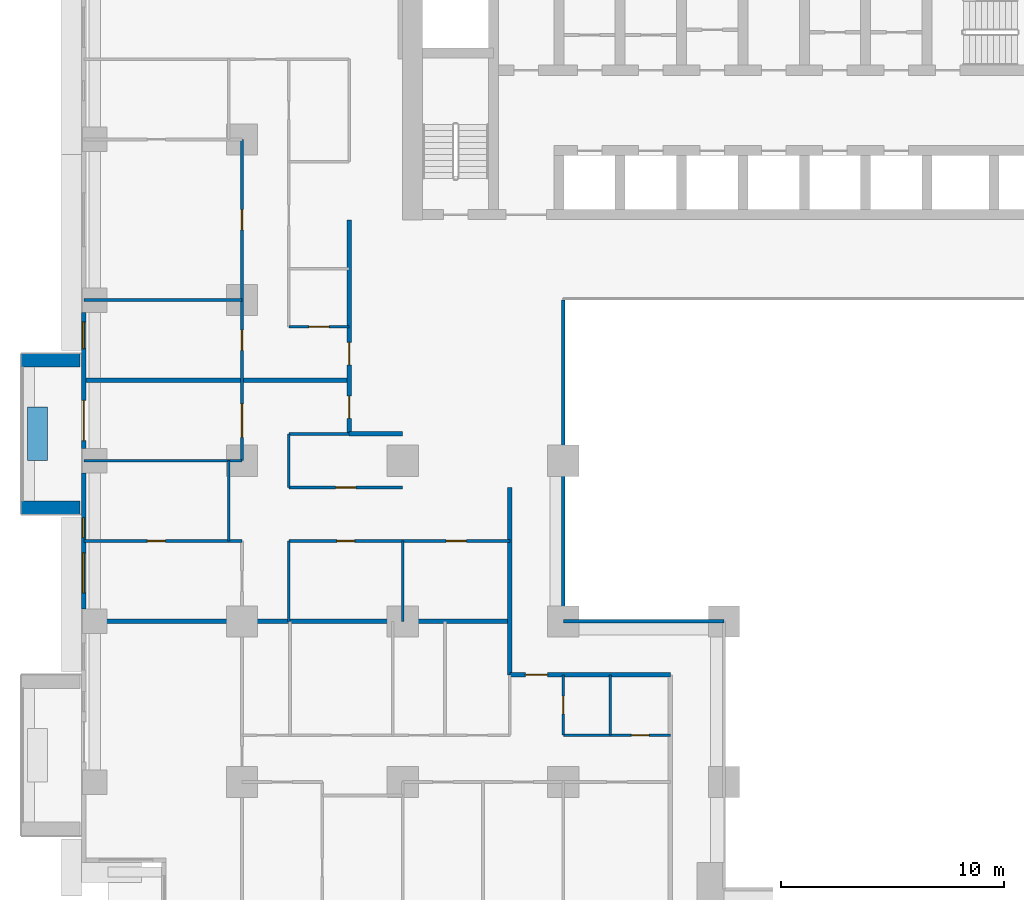
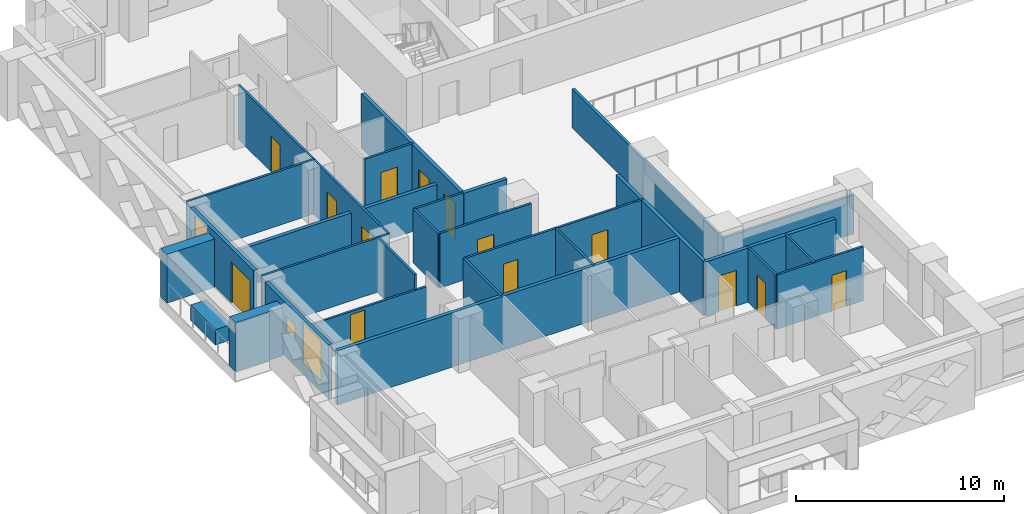
# One storey, part 7 of 17: 28 walls, 14 doors, 3 windows, 17 openings.
"""IFC4 building model written with IfcOpenShell, lengths in metres."""

from ifc_helpers import new_model, si_unit, direction, frame, frame_2d, origin, place, context, subcontext, project, spatial, rectangle, extrude, material, layer, layer_set, type_object, element, fill, save


model = new_model("IFC4")

# Units and contexts
model_context = context("Model", 3, precision=1e-05, world=origin(), true_north=direction((0.0, 1.0)))
body_context = subcontext(model_context, "Body", "Model", "MODEL_VIEW")
ifc_project = project(units=[si_unit("LENGTHUNIT", "METRE"), si_unit("AREAUNIT", "SQUARE_METRE"), si_unit("VOLUMEUNIT", "CUBIC_METRE"), si_unit("PLANEANGLEUNIT", "RADIAN"), si_unit("MASSUNIT", "GRAM", prefix="KILO")], contexts=[model_context])

# Site, building, storey
site_placement = place(None, origin())
site = spatial("IfcSite", under=ifc_project, at=site_placement, CompositionType="ELEMENT")
building_placement = place(site_placement, origin())
building = spatial("IfcBuilding", under=site, at=building_placement, Name="Saffron Iwan Residences", CompositionType="ELEMENT")
storey_placement = place(building_placement, frame((0.0, 0.0, 51.5)))
storey = spatial("IfcBuildingStorey", under=building, at=storey_placement, Name="L12", CompositionType="ELEMENT", Elevation=51.5)

# Walls
ifc_material_1 = material(Name="Fire-rated glazing", Category="glass")
ifc_layer_1 = layer(ifc_material_1, 0.14990234375)
ifc_layer_set_1 = layer_set([ifc_layer_1], Name="Fire-rated glazing")
wall_type_1 = type_object("IfcWallType", Name="Atrium glazed screen 150", PredefinedType="SOLIDWALL", material=ifc_layer_set_1)
wall_1_placement = place(storey_placement, frame((36.0, 48.0, 0.0), z_axis=(0.0, 0.0, 1.0), x_axis=(1.0, 0.0, 0.0)))
element("IfcWall", 1, at=wall_1_placement, inside=storey, type_object=wall_type_1, Name="W-L12-SCREEN-h48-36", PredefinedType="SOLIDWALL", context=body_context, shape_type="SweptSolid", body=[
    extrude(rectangle(XDim=7.199951171875, YDim=0.14990234375, at=frame_2d((3.60009765625, 0.0))), origin(), (0.0, 0.0, 1.0), 2.280029296875),
])
wall_2_placement = place(storey_placement, frame((36.0, 48.0, 0.0), z_axis=(0.0, 0.0, 1.0), x_axis=(0.0, 1.0, 0.0)))
element("IfcWall", 2, at=wall_2_placement, inside=storey, type_object=wall_type_1, Name="W-L12-SCREEN-v36-48", PredefinedType="SOLIDWALL", context=body_context, shape_type="SweptSolid", body=[
    extrude(rectangle(XDim=14.39990234375, YDim=0.14990234375, at=frame_2d((7.199951171875, 0.0))), origin(), (0.0, 0.0, 1.0), 2.280029296875),
])
ifc_material_2 = material(Name="Concrete C50/60 white painted", Category="concrete")
ifc_layer_2 = layer(ifc_material_2, 0.60009765625)
ifc_layer_set_2 = layer_set([ifc_layer_2], Name="Concrete C50/60 white painted")
wall_type_2 = type_object("IfcWallType", Name="BALCONY FIN 600", PredefinedType="SOLIDWALL", material=ifc_layer_set_2)
for number, where, z_axis, x_axis, name in (
    (3, (14.35009765625, 59.699951171875, 0.0), (0.0, 0.0, 1.0), (-1.0, 0.0, 0.0), "Balcony fin L12 F8-1a"),
    (4, (14.35009765625, 53.10009765625, 0.0), (0.0, 0.0, 1.0), (-1.0, 0.0, 0.0), "Balcony fin L12 F8-1b"),
):
    element("IfcWall", number, at=place(storey_placement, frame(where, z_axis=z_axis, x_axis=x_axis)), inside=storey, type_object=wall_type_2, Name=name, PredefinedType="SOLIDWALL", context=body_context, shape_type="SweptSolid", body=[
        extrude(rectangle(XDim=2.650146484375, YDim=0.60009765625, at=frame_2d((1.3251953125, 0.0))), origin(), (0.0, 0.0, 1.0), 2.85009765625),
    ])
ifc_material_3 = material(Name="Concrete C35/45 white painted", Category="concrete")
ifc_layer_3 = layer(ifc_material_3, 0.14990234375)
ifc_layer_set_3 = layer_set([ifc_layer_3], Name="Concrete C35/45 white painted")
wall_type_3 = type_object("IfcWallType", Name="BALCONY PLANTER", PredefinedType="SOLIDWALL", material=ifc_layer_set_3)
wall_3_placement = place(storey_placement, frame((12.425048828125, 57.60009765625, 0.0), z_axis=(0.0, 0.0, 1.0), x_axis=(0.0, -1.0, 0.0)))
element("IfcWall", 5, at=wall_3_placement, inside=storey, type_object=wall_type_3, Name="PLANTER L12 F8-1", PredefinedType="SOLIDWALL", context=body_context, shape_type="SweptSolid", body=[
    extrude(rectangle(XDim=2.400146484375, YDim=0.89990234375, at=frame_2d((1.2001953125, 0.0))), origin(), (0.0, 0.0, 1.0), 0.89990234375),
])

# Wall, openings, door, window
ifc_material_4 = material(Name="Concrete C40/50", Category="concrete")
ifc_layer_4 = layer(ifc_material_4, 0.199951171875)
ifc_layer_set_4 = layer_set([ifc_layer_4], Name="Concrete C40/50")
wall_type_4 = type_object("IfcWallType", Name="EXTERNAL WALL 200", PredefinedType="SOLIDWALL", material=ifc_layer_set_4)
wall_4_placement = place(storey_placement, frame((14.5, 61.85009765625, 0.0), z_axis=(0.0, 0.0, 1.0), x_axis=(0.0, -1.0, 0.0)))
wall_4 = element("IfcWall", 6, at=wall_4_placement, inside=storey, type_object=wall_type_4, Name="External wall L12 F8.2", PredefinedType="SOLIDWALL", context=body_context, shape_type="SweptSolid", body=[
    extrude(rectangle(XDim=6.10009765625, YDim=0.199951171875, at=frame_2d((3.050048828125, 0.0))), origin(), (0.0, 0.0, 1.0), 3.179931640625),
])
opening_1_placement = place(wall_4_placement, frame((3.949951171875, 0.0, 0.0)))
opening_1 = element("IfcOpeningElement", 7, at=opening_1_placement, cuts=wall_4, Name="Opening BD1", PredefinedType="OPENING", context=body_context, shape_type="SweptSolid", body=[
    extrude(rectangle(XDim=1.800048828125, YDim=2.39990234375, at=frame_2d((0.89990234375, 1.199951171875))), frame((0.0, 0.10986328125, 0.0), z_axis=(0.0, -1.0, 0.0), x_axis=(1.0, 0.0, 0.0)), (0.0, 0.0, 1.0), 0.219970703125),
])
opening_2_placement = place(wall_4_placement, frame((0.425048828125, 0.0, 0.60009765625)))
opening_2 = element("IfcOpeningElement", 8, at=opening_2_placement, cuts=wall_4, Name="Opening W3", PredefinedType="OPENING", context=body_context, shape_type="SweptSolid", body=[
    extrude(rectangle(XDim=1.199951171875, YDim=2.39990234375, at=frame_2d((0.60009765625, 1.199951171875))), frame((0.0, 0.10986328125, 0.0), z_axis=(0.0, -1.0, 0.0), x_axis=(1.0, 0.0, 0.0)), (0.0, 0.0, 1.0), 0.219970703125),
])
ifc_material_5 = material(Name="Clear glass, laminated double glazed", Category="glass")
door_type_1 = type_object("IfcDoorType", Name="BALCONY DOOR 1800 x 2400", OperationType="DOUBLE_DOOR_SLIDING", PredefinedType="DOOR", material=ifc_material_5)
door_1_placement = place(opening_1_placement, origin())
door_1 = element("IfcDoor", 9, at=door_1_placement, inside=storey, type_object=door_type_1, Name="Balcony door L12 F8.0", OperationType="DOUBLE_DOOR_SLIDING", OverallHeight=2.39990234375, OverallWidth=1.800048828125, PredefinedType="DOOR", context=body_context, shape_type="SweptSolid", body=[
    extrude(rectangle(XDim=1.800048828125, YDim=2.39990234375, at=frame_2d((0.89990234375, 1.199951171875))), frame((0.0, 0.02490234375, 0.0), z_axis=(0.0, -1.0, 0.0), x_axis=(1.0, 0.0, 0.0)), (0.0, 0.0, 1.0), 0.050048828125),
])
fill(opening_1, door_1)
window_type_1 = type_object("IfcWindowType", Name="WINDOW 1200 x 2400", PartitioningType="SINGLE_PANEL", PredefinedType="WINDOW", material=ifc_material_5)
window_1_placement = place(opening_2_placement, origin())
window_1 = element("IfcWindow", 10, at=window_1_placement, inside=storey, type_object=window_type_1, Name="Window L12 F8.1", OverallHeight=2.39990234375, OverallWidth=1.199951171875, PartitioningType="SINGLE_PANEL", PredefinedType="WINDOW", context=body_context, shape_type="SweptSolid", body=[
    extrude(rectangle(XDim=1.199951171875, YDim=2.39990234375, at=frame_2d((0.60009765625, 1.199951171875))), frame((0.0, 0.030029296875, 0.0), z_axis=(0.0, -1.0, 0.0), x_axis=(1.0, 0.0, 0.0)), (0.0, 0.0, 1.0), 0.06005859375),
])
fill(opening_2, window_1)

# Wall, openings, windows
wall_5_placement = place(storey_placement, frame((14.5, 54.64990234375, 0.0), z_axis=(0.0, 0.0, 1.0), x_axis=(0.0, -1.0, 0.0)))
wall_5 = element("IfcWall", 11, at=wall_5_placement, inside=storey, type_object=wall_type_4, Name="External wall L12 F8.3", PredefinedType="SOLIDWALL", context=body_context, shape_type="SweptSolid", body=[
    extrude(rectangle(XDim=6.099853515625, YDim=0.199951171875, at=frame_2d((3.0498046875, 0.0))), origin(), (0.0, 0.0, 1.0), 3.179931640625),
])
opening_3_placement = place(wall_5_placement, frame((3.574951171875, 0.0, 0.60009765625)))
opening_3 = element("IfcOpeningElement", 12, at=opening_3_placement, cuts=wall_5, Name="Opening W8", PredefinedType="OPENING", context=body_context, shape_type="SweptSolid", body=[
    extrude(rectangle(XDim=1.800048828125, YDim=2.39990234375, at=frame_2d((0.89990234375, 1.199951171875))), frame((0.0, 0.10986328125, 0.0), z_axis=(0.0, -1.0, 0.0), x_axis=(1.0, 0.0, 0.0)), (0.0, 0.0, 1.0), 0.219970703125),
])
opening_4_placement = place(wall_5_placement, frame((2.0, 0.0, 1.5)))
opening_4 = element("IfcOpeningElement", 13, at=opening_4_placement, cuts=wall_5, Name="Opening W6", PredefinedType="OPENING", context=body_context, shape_type="SweptSolid", body=[
    extrude(rectangle(XDim=0.89990234375, YDim=0.89990234375, at=frame_2d((0.449951171875, 0.449951171875))), frame((0.0, 0.10986328125, 0.0), z_axis=(0.0, -1.0, 0.0), x_axis=(1.0, 0.0, 0.0)), (0.0, 0.0, 1.0), 0.219970703125),
])
window_type_2 = type_object("IfcWindowType", Name="WINDOW 1800 x 2400", PartitioningType="DOUBLE_PANEL_VERTICAL", PredefinedType="WINDOW", material=ifc_material_5)
window_2_placement = place(opening_3_placement, origin())
window_2 = element("IfcWindow", 14, at=window_2_placement, inside=storey, type_object=window_type_2, Name="Window L12 F8.0", OverallHeight=2.39990234375, OverallWidth=1.800048828125, PartitioningType="DOUBLE_PANEL_VERTICAL", PredefinedType="WINDOW", context=body_context, shape_type="SweptSolid", body=[
    extrude(rectangle(XDim=1.800048828125, YDim=2.39990234375, at=frame_2d((0.89990234375, 1.199951171875))), frame((0.0, 0.030029296875, 0.0), z_axis=(0.0, -1.0, 0.0), x_axis=(1.0, 0.0, 0.0)), (0.0, 0.0, 1.0), 0.06005859375),
])
fill(opening_3, window_2)
window_type_3 = type_object("IfcWindowType", Name="WINDOW 900 x 900 BATH", PartitioningType="SINGLE_PANEL", PredefinedType="WINDOW", material=ifc_material_5)
window_3_placement = place(opening_4_placement, origin())
window_3 = element("IfcWindow", 15, at=window_3_placement, inside=storey, type_object=window_type_3, Name="Window L12 F8.1", OverallHeight=0.89990234375, OverallWidth=0.89990234375, PartitioningType="SINGLE_PANEL", PredefinedType="WINDOW", context=body_context, shape_type="SweptSolid", body=[
    extrude(rectangle(XDim=0.89990234375, YDim=0.89990234375, at=frame_2d((0.449951171875, 0.449951171875))), frame((0.0, 0.030029296875, 0.0), z_axis=(0.0, -1.0, 0.0), x_axis=(1.0, 0.0, 0.0)), (0.0, 0.0, 1.0), 0.06005859375),
])
fill(opening_4, window_3)

# Walls
ifc_material_6 = material(Name="Fire-rated gypsum board wall")
ifc_layer_5 = layer(ifc_material_6, 0.199951171875)
ifc_layer_set_5 = layer_set([ifc_layer_5], Name="Fire-rated gypsum board wall")
wall_type_5 = type_object("IfcWallType", Name="Flat demising wall 200", PredefinedType="SOLIDWALL", material=ifc_layer_set_5)
wall_6_placement = place(storey_placement, frame((14.52490234375, 48.0, 0.0), z_axis=(0.0, 0.0, 1.0), x_axis=(1.0, 0.0, 0.0)))
element("IfcWall", 16, at=wall_6_placement, inside=storey, type_object=wall_type_5, Name="W-L12-DEMISE-h48-14.525", PredefinedType="SOLIDWALL", context=body_context, shape_type="SweptSolid", body=[
    extrude(rectangle(XDim=19.0751953125, YDim=0.199951171875, at=frame_2d((9.53759765625, 0.0))), origin(), (0.0, 0.0, 1.0), 3.179931640625),
])
wall_7_placement = place(storey_placement, frame((14.52490234375, 58.800048828125, 0.0), z_axis=(0.0, 0.0, 1.0), x_axis=(1.0, 0.0, 0.0)))
element("IfcWall", 17, at=wall_7_placement, inside=storey, type_object=wall_type_5, Name="W-L12-DEMISE-h58.8-14.525", PredefinedType="SOLIDWALL", context=body_context, shape_type="SweptSolid", body=[
    extrude(rectangle(XDim=11.875, YDim=0.199951171875, at=frame_2d((5.9375, 0.0))), origin(), (0.0, 0.0, 1.0), 2.280029296875),
])

# Wall, opening, door
ifc_material_7 = material(Name="Gypsum board partition")
ifc_layer_6 = layer(ifc_material_7, 0.1201171875)
ifc_layer_set_6 = layer_set([ifc_layer_6], Name="Gypsum board partition")
wall_type_6 = type_object("IfcWallType", Name="Flat partition 120", PredefinedType="PARTITIONING", material=ifc_layer_set_6)
wall_8_placement = place(storey_placement, frame((36.0, 42.89990234375, 0.0), z_axis=(0.0, 0.0, 1.0), x_axis=(1.0, 0.0, 0.0)))
wall_8 = element("IfcWall", 18, at=wall_8_placement, inside=storey, type_object=wall_type_6, Name="W-L12-PART-h42.9-36", PredefinedType="PARTITIONING", context=body_context, shape_type="SweptSolid", body=[
    extrude(rectangle(XDim=4.800048828125, YDim=0.1201171875, at=frame_2d((2.39990234375, 0.0))), origin(), (0.0, 0.0, 1.0), 3.179931640625),
])
opening_5_placement = place(wall_8_placement, frame((3.050048828125, 0.0, 0.0)))
opening_5 = element("IfcOpeningElement", 19, at=opening_5_placement, cuts=wall_8, Name="Opening FD3", PredefinedType="OPENING", context=body_context, shape_type="SweptSolid", body=[
    extrude(rectangle(XDim=0.800048828125, YDim=2.10009765625, at=frame_2d((0.39990234375, 1.050048828125))), frame((0.0, 0.070068359375, 0.0), z_axis=(0.0, -1.0, 0.0), x_axis=(1.0, 0.0, 0.0)), (0.0, 0.0, 1.0), 0.14013671875),
])
ifc_material_8 = material(Name="Timber door", Category="wood")
door_type_2 = type_object("IfcDoorType", Name="Bathroom door 800", OperationType="NOTDEFINED", PredefinedType="DOOR", material=ifc_material_8)
door_2_placement = place(opening_5_placement, origin())
door_2 = element("IfcDoor", 20, at=door_2_placement, inside=storey, type_object=door_type_2, Name="Door L12-013", OperationType="SINGLE_SWING_RIGHT", OverallHeight=2.10009765625, OverallWidth=0.800048828125, PredefinedType="DOOR", context=body_context, shape_type="SweptSolid", body=[
    extrude(rectangle(XDim=0.800048828125, YDim=2.10009765625, at=frame_2d((0.39990234375, 1.050048828125))), frame((0.0, 0.02490234375, 0.0), z_axis=(0.0, -1.0, 0.0), x_axis=(1.0, 0.0, 0.0)), (0.0, 0.0, 1.0), 0.050048828125),
])
fill(opening_5, door_2)

wall_9_placement = place(storey_placement, frame((14.52490234375, 51.60009765625, 0.0), z_axis=(0.0, 0.0, 1.0), x_axis=(1.0, 0.0, 0.0)))
wall_9 = element("IfcWall", 21, at=wall_9_placement, inside=storey, type_object=wall_type_6, Name="W-L12-PART-h51.6-14.525", PredefinedType="PARTITIONING", context=body_context, shape_type="SweptSolid", body=[
    extrude(rectangle(XDim=7.0751953125, YDim=0.1201171875, at=frame_2d((3.53759765625, 0.0))), origin(), (0.0, 0.0, 1.0), 2.280029296875),
])
opening_6_placement = place(wall_9_placement, frame((2.83740234375, 0.0, 0.0)))
opening_6 = element("IfcOpeningElement", 22, at=opening_6_placement, cuts=wall_9, Name="Opening FD3", PredefinedType="OPENING", context=body_context, shape_type="SweptSolid", body=[
    extrude(rectangle(XDim=0.800048828125, YDim=2.10009765625, at=frame_2d((0.39990234375, 1.050048828125))), frame((0.0, 0.070068359375, 0.0), z_axis=(0.0, -1.0, 0.0), x_axis=(1.0, 0.0, 0.0)), (0.0, 0.0, 1.0), 0.14013671875),
])
door_3_placement = place(opening_6_placement, origin())
door_3 = element("IfcDoor", 23, at=door_3_placement, inside=storey, type_object=door_type_2, Name="Door L12-016", OperationType="SINGLE_SWING_RIGHT", OverallHeight=2.10009765625, OverallWidth=0.800048828125, PredefinedType="DOOR", context=body_context, shape_type="SweptSolid", body=[
    extrude(rectangle(XDim=0.800048828125, YDim=2.10009765625, at=frame_2d((0.39990234375, 1.050048828125))), frame((0.0, 0.02490234375, 0.0), z_axis=(0.0, -1.0, 0.0), x_axis=(1.0, 0.0, 0.0)), (0.0, 0.0, 1.0), 0.050048828125),
])
fill(opening_6, door_3)

# Wall, openings, doors
wall_10_placement = place(storey_placement, frame((23.699951171875, 51.60009765625, 0.0), z_axis=(0.0, 0.0, 1.0), x_axis=(1.0, 0.0, 0.0)))
wall_10 = element("IfcWall", 24, at=wall_10_placement, inside=storey, type_object=wall_type_6, Name="W-L12-PART-h51.6-23.7", PredefinedType="PARTITIONING", context=body_context, shape_type="SweptSolid", body=[
    extrude(rectangle(XDim=9.900146484375, YDim=0.1201171875, at=frame_2d((4.9501953125, 0.0))), origin(), (0.0, 0.0, 1.0), 3.179931640625),
])
opening_7_placement = place(wall_10_placement, frame((2.14990234375, 0.0, 0.0)))
opening_7 = element("IfcOpeningElement", 25, at=opening_7_placement, cuts=wall_10, Name="Opening FD3", PredefinedType="OPENING", context=body_context, shape_type="SweptSolid", body=[
    extrude(rectangle(XDim=0.800048828125, YDim=2.10009765625, at=frame_2d((0.39990234375, 1.050048828125))), frame((0.0, 0.070068359375, 0.0), z_axis=(0.0, -1.0, 0.0), x_axis=(1.0, 0.0, 0.0)), (0.0, 0.0, 1.0), 0.14013671875),
])
opening_8_placement = place(wall_10_placement, frame((7.050048828125, 0.0, 0.0)))
opening_8 = element("IfcOpeningElement", 26, at=opening_8_placement, cuts=wall_10, Name="Opening FD2", PredefinedType="OPENING", context=body_context, shape_type="SweptSolid", body=[
    extrude(rectangle(XDim=0.89990234375, YDim=2.10009765625, at=frame_2d((0.449951171875, 1.050048828125))), frame((0.0, 0.070068359375, 0.0), z_axis=(0.0, -1.0, 0.0), x_axis=(1.0, 0.0, 0.0)), (0.0, 0.0, 1.0), 0.14013671875),
])
door_4_placement = place(opening_7_placement, origin())
door_4 = element("IfcDoor", 27, at=door_4_placement, inside=storey, type_object=door_type_2, Name="Door L12-018", OperationType="SINGLE_SWING_LEFT", OverallHeight=2.10009765625, OverallWidth=0.800048828125, PredefinedType="DOOR", context=body_context, shape_type="SweptSolid", body=[
    extrude(rectangle(XDim=0.800048828125, YDim=2.10009765625, at=frame_2d((0.39990234375, 1.050048828125))), frame((0.0, 0.02490234375, 0.0), z_axis=(0.0, -1.0, 0.0), x_axis=(1.0, 0.0, 0.0)), (0.0, 0.0, 1.0), 0.050048828125),
])
fill(opening_7, door_4)
door_type_3 = type_object("IfcDoorType", Name="Flat door 900", OperationType="NOTDEFINED", PredefinedType="DOOR", material=ifc_material_8)
door_5_placement = place(opening_8_placement, origin())
door_5 = element("IfcDoor", 28, at=door_5_placement, inside=storey, type_object=door_type_3, Name="Door L12-020", OperationType="SINGLE_SWING_LEFT", OverallHeight=2.10009765625, OverallWidth=0.89990234375, PredefinedType="DOOR", context=body_context, shape_type="SweptSolid", body=[
    extrude(rectangle(XDim=0.89990234375, YDim=2.10009765625, at=frame_2d((0.449951171875, 1.050048828125))), frame((0.0, 0.02490234375, 0.0), z_axis=(0.0, -1.0, 0.0), x_axis=(1.0, 0.0, 0.0)), (0.0, 0.0, 1.0), 0.050048828125),
])
fill(opening_8, door_5)

# Wall, opening, door
wall_11_placement = place(storey_placement, frame((23.699951171875, 54.0, 0.0), z_axis=(0.0, 0.0, 1.0), x_axis=(1.0, 0.0, 0.0)))
wall_11 = element("IfcWall", 29, at=wall_11_placement, inside=storey, type_object=wall_type_6, Name="W-L12-PART-h54-23.7", PredefinedType="PARTITIONING", context=body_context, shape_type="SweptSolid", body=[
    extrude(rectangle(XDim=5.10009765625, YDim=0.1201171875, at=frame_2d((2.550048828125, 0.0))), origin(), (0.0, 0.0, 1.0), 3.179931640625),
])
opening_9_placement = place(wall_11_placement, frame((2.10009765625, 0.0, 0.0)))
opening_9 = element("IfcOpeningElement", 30, at=opening_9_placement, cuts=wall_11, Name="Opening FD2", PredefinedType="OPENING", context=body_context, shape_type="SweptSolid", body=[
    extrude(rectangle(XDim=0.89990234375, YDim=2.10009765625, at=frame_2d((0.449951171875, 1.050048828125))), frame((0.0, 0.070068359375, 0.0), z_axis=(0.0, -1.0, 0.0), x_axis=(1.0, 0.0, 0.0)), (0.0, 0.0, 1.0), 0.14013671875),
])
door_6_placement = place(opening_9_placement, origin())
door_6 = element("IfcDoor", 31, at=door_6_placement, inside=storey, type_object=door_type_3, Name="Door L12-019", OperationType="SINGLE_SWING_RIGHT", OverallHeight=2.10009765625, OverallWidth=0.89990234375, PredefinedType="DOOR", context=body_context, shape_type="SweptSolid", body=[
    extrude(rectangle(XDim=0.89990234375, YDim=2.10009765625, at=frame_2d((0.449951171875, 1.050048828125))), frame((0.0, 0.02490234375, 0.0), z_axis=(0.0, -1.0, 0.0), x_axis=(1.0, 0.0, 0.0)), (0.0, 0.0, 1.0), 0.050048828125),
])
fill(opening_9, door_6)

# Walls
wall_12_placement = place(storey_placement, frame((14.52490234375, 55.199951171875, 0.0), z_axis=(0.0, 0.0, 1.0), x_axis=(1.0, 0.0, 0.0)))
element("IfcWall", 32, at=wall_12_placement, inside=storey, type_object=wall_type_6, Name="W-L12-PART-h55.2-14.525", PredefinedType="PARTITIONING", context=body_context, shape_type="SweptSolid", body=[
    extrude(rectangle(XDim=7.0751953125, YDim=0.1201171875, at=frame_2d((3.53759765625, 0.0))), origin(), (0.0, 0.0, 1.0), 3.179931640625),
])
wall_13_placement = place(storey_placement, frame((23.699951171875, 56.39990234375, 0.0), z_axis=(0.0, 0.0, 1.0), x_axis=(1.0, 0.0, 0.0)))
element("IfcWall", 33, at=wall_13_placement, inside=storey, type_object=wall_type_6, Name="W-L12-PART-h56.4-23.7", PredefinedType="PARTITIONING", context=body_context, shape_type="SweptSolid", body=[
    extrude(rectangle(XDim=2.699951171875, YDim=0.1201171875, at=frame_2d((1.35009765625, 0.0))), origin(), (0.0, 0.0, 1.0), 3.179931640625),
])

# Wall, opening, door
wall_14_placement = place(storey_placement, frame((23.699951171875, 61.199951171875, 0.0), z_axis=(0.0, 0.0, 1.0), x_axis=(1.0, 0.0, 0.0)))
wall_14 = element("IfcWall", 34, at=wall_14_placement, inside=storey, type_object=wall_type_6, Name="W-L12-PART-h61.2-23.7", PredefinedType="PARTITIONING", context=body_context, shape_type="SweptSolid", body=[
    extrude(rectangle(XDim=2.699951171875, YDim=0.1201171875, at=frame_2d((1.35009765625, 0.0))), origin(), (0.0, 0.0, 1.0), 3.179931640625),
])
opening_10_placement = place(wall_14_placement, frame((0.89990234375, 0.0, 0.0)))
opening_10 = element("IfcOpeningElement", 35, at=opening_10_placement, cuts=wall_14, Name="Opening FD2", PredefinedType="OPENING", context=body_context, shape_type="SweptSolid", body=[
    extrude(rectangle(XDim=0.89990234375, YDim=2.10009765625, at=frame_2d((0.449951171875, 1.050048828125))), frame((0.0, 0.070068359375, 0.0), z_axis=(0.0, -1.0, 0.0), x_axis=(1.0, 0.0, 0.0)), (0.0, 0.0, 1.0), 0.14013671875),
])
door_7_placement = place(opening_10_placement, origin())
door_7 = element("IfcDoor", 36, at=door_7_placement, inside=storey, type_object=door_type_3, Name="Door L12-033", OperationType="SINGLE_SWING_LEFT", OverallHeight=2.10009765625, OverallWidth=0.89990234375, PredefinedType="DOOR", context=body_context, shape_type="SweptSolid", body=[
    extrude(rectangle(XDim=0.89990234375, YDim=2.10009765625, at=frame_2d((0.449951171875, 1.050048828125))), frame((0.0, 0.02490234375, 0.0), z_axis=(0.0, -1.0, 0.0), x_axis=(1.0, 0.0, 0.0)), (0.0, 0.0, 1.0), 0.050048828125),
])
fill(opening_10, door_7)

# Walls
wall_15_placement = place(storey_placement, frame((14.52490234375, 62.39990234375, 0.0), z_axis=(0.0, 0.0, 1.0), x_axis=(1.0, 0.0, 0.0)))
element("IfcWall", 37, at=wall_15_placement, inside=storey, type_object=wall_type_6, Name="W-L12-PART-h62.4-14.525", PredefinedType="PARTITIONING", context=body_context, shape_type="SweptSolid", body=[
    extrude(rectangle(XDim=7.0751953125, YDim=0.1201171875, at=frame_2d((3.53759765625, 0.0))), origin(), (0.0, 0.0, 1.0), 3.179931640625),
])
wall_16_placement = place(storey_placement, frame((21.0, 51.60009765625, 0.0), z_axis=(0.0, 0.0, 1.0), x_axis=(0.0, 1.0, 0.0)))
element("IfcWall", 38, at=wall_16_placement, inside=storey, type_object=wall_type_6, Name="W-L12-PART-v21-51.6", PredefinedType="PARTITIONING", context=body_context, shape_type="SweptSolid", body=[
    extrude(rectangle(XDim=3.599853515625, YDim=0.1201171875, at=frame_2d((1.7998046875, 0.0))), origin(), (0.0, 0.0, 1.0), 3.179931640625),
])

# Wall, openings, doors
wall_17_placement = place(storey_placement, frame((21.60009765625, 55.199951171875, 0.0), z_axis=(0.0, 0.0, 1.0), x_axis=(0.0, 1.0, 0.0)))
wall_17 = element("IfcWall", 39, at=wall_17_placement, inside=storey, type_object=wall_type_6, Name="W-L12-PART-v21.6-55.2", PredefinedType="PARTITIONING", context=body_context, shape_type="SweptSolid", body=[
    extrude(rectangle(XDim=14.400146484375, YDim=0.1201171875, at=frame_2d((7.2001953125, 0.0))), origin(), (0.0, 0.0, 1.0), 3.179931640625),
])
opening_11_placement = place(wall_17_placement, frame((1.050048828125, 0.0, 0.0)))
opening_11 = element("IfcOpeningElement", 40, at=opening_11_placement, cuts=wall_17, Name="Opening FD4", PredefinedType="OPENING", context=body_context, shape_type="SweptSolid", body=[
    extrude(rectangle(XDim=1.5, YDim=2.10009765625, at=frame_2d((0.75, 1.050048828125))), frame((0.0, 0.070068359375, 0.0), z_axis=(0.0, -1.0, 0.0), x_axis=(1.0, 0.0, 0.0)), (0.0, 0.0, 1.0), 0.14013671875),
])
opening_12_placement = place(wall_17_placement, frame((4.949951171875, 0.0, 0.0)))
opening_12 = element("IfcOpeningElement", 41, at=opening_12_placement, cuts=wall_17, Name="Opening FD2", PredefinedType="OPENING", context=body_context, shape_type="SweptSolid", body=[
    extrude(rectangle(XDim=0.89990234375, YDim=2.10009765625, at=frame_2d((0.449951171875, 1.050048828125))), frame((0.0, 0.070068359375, 0.0), z_axis=(0.0, -1.0, 0.0), x_axis=(1.0, 0.0, 0.0)), (0.0, 0.0, 1.0), 0.14013671875),
])
opening_13_placement = place(wall_17_placement, frame((10.35009765625, 0.0, 0.0)))
opening_13 = element("IfcOpeningElement", 42, at=opening_13_placement, cuts=wall_17, Name="Opening FD2", PredefinedType="OPENING", context=body_context, shape_type="SweptSolid", body=[
    extrude(rectangle(XDim=0.89990234375, YDim=2.10009765625, at=frame_2d((0.449951171875, 1.050048828125))), frame((0.0, 0.070068359375, 0.0), z_axis=(0.0, -1.0, 0.0), x_axis=(1.0, 0.0, 0.0)), (0.0, 0.0, 1.0), 0.14013671875),
])
door_type_4 = type_object("IfcDoorType", Name="Double door 1500", OperationType="NOTDEFINED", PredefinedType="DOOR", material=ifc_material_8)
door_8_placement = place(opening_11_placement, origin())
door_8 = element("IfcDoor", 43, at=door_8_placement, inside=storey, type_object=door_type_4, Name="Door L12-017", OperationType="SINGLE_SWING_LEFT", OverallHeight=2.10009765625, OverallWidth=1.5, PredefinedType="DOOR", context=body_context, shape_type="SweptSolid", body=[
    extrude(rectangle(XDim=1.5, YDim=2.10009765625, at=frame_2d((0.75, 1.050048828125))), frame((0.0, 0.02490234375, 0.0), z_axis=(0.0, -1.0, 0.0), x_axis=(1.0, 0.0, 0.0)), (0.0, 0.0, 1.0), 0.050048828125),
])
fill(opening_11, door_8)
door_9_placement = place(opening_12_placement, origin())
door_9 = element("IfcDoor", 44, at=door_9_placement, inside=storey, type_object=door_type_3, Name="Door L12-029", OperationType="SINGLE_SWING_LEFT", OverallHeight=2.10009765625, OverallWidth=0.89990234375, PredefinedType="DOOR", context=body_context, shape_type="SweptSolid", body=[
    extrude(rectangle(XDim=0.89990234375, YDim=2.10009765625, at=frame_2d((0.449951171875, 1.050048828125))), frame((0.0, 0.02490234375, 0.0), z_axis=(0.0, -1.0, 0.0), x_axis=(1.0, 0.0, 0.0)), (0.0, 0.0, 1.0), 0.050048828125),
])
fill(opening_12, door_9)
door_10_placement = place(opening_13_placement, origin())
door_10 = element("IfcDoor", 45, at=door_10_placement, inside=storey, type_object=door_type_3, Name="Door L12-030", OperationType="SINGLE_SWING_LEFT", OverallHeight=2.10009765625, OverallWidth=0.89990234375, PredefinedType="DOOR", context=body_context, shape_type="SweptSolid", body=[
    extrude(rectangle(XDim=0.89990234375, YDim=2.10009765625, at=frame_2d((0.449951171875, 1.050048828125))), frame((0.0, 0.02490234375, 0.0), z_axis=(0.0, -1.0, 0.0), x_axis=(1.0, 0.0, 0.0)), (0.0, 0.0, 1.0), 0.050048828125),
])
fill(opening_13, door_10)

# Walls
wall_18_placement = place(storey_placement, frame((23.699951171875, 48.0, 0.0), z_axis=(0.0, 0.0, 1.0), x_axis=(0.0, 1.0, 0.0)))
element("IfcWall", 46, at=wall_18_placement, inside=storey, type_object=wall_type_6, Name="W-L12-PART-v23.7-48", PredefinedType="PARTITIONING", context=body_context, shape_type="SweptSolid", body=[
    extrude(rectangle(XDim=3.60009765625, YDim=0.1201171875, at=frame_2d((1.800048828125, 0.0))), origin(), (0.0, 0.0, 1.0), 3.179931640625),
])
wall_19_placement = place(storey_placement, frame((23.699951171875, 54.0, 0.0), z_axis=(0.0, 0.0, 1.0), x_axis=(0.0, 1.0, 0.0)))
element("IfcWall", 47, at=wall_19_placement, inside=storey, type_object=wall_type_6, Name="W-L12-PART-v23.7-54", PredefinedType="PARTITIONING", context=body_context, shape_type="SweptSolid", body=[
    extrude(rectangle(XDim=2.39990234375, YDim=0.1201171875, at=frame_2d((1.199951171875, 0.0))), origin(), (0.0, 0.0, 1.0), 3.179931640625),
])
wall_20_placement = place(storey_placement, frame((28.800048828125, 48.0, 0.0), z_axis=(0.0, 0.0, 1.0), x_axis=(0.0, 1.0, 0.0)))
element("IfcWall", 48, at=wall_20_placement, inside=storey, type_object=wall_type_6, Name="W-L12-PART-v28.8-48", PredefinedType="PARTITIONING", context=body_context, shape_type="SweptSolid", body=[
    extrude(rectangle(XDim=3.60009765625, YDim=0.1201171875, at=frame_2d((1.800048828125, 0.0))), origin(), (0.0, 0.0, 1.0), 3.179931640625),
])

# Wall, opening, door
wall_21_placement = place(storey_placement, frame((36.0, 42.89990234375, 0.0), z_axis=(0.0, 0.0, 1.0), x_axis=(0.0, 1.0, 0.0)))
wall_21 = element("IfcWall", 49, at=wall_21_placement, inside=storey, type_object=wall_type_6, Name="W-L12-PART-v36-42.9", PredefinedType="PARTITIONING", context=body_context, shape_type="SweptSolid", body=[
    extrude(rectangle(XDim=2.7001953125, YDim=0.1201171875, at=frame_2d((1.35009765625, 0.0))), origin(), (0.0, 0.0, 1.0), 3.179931640625),
])
opening_14_placement = place(wall_21_placement, frame((0.949951171875, 0.0, 0.0)))
opening_14 = element("IfcOpeningElement", 50, at=opening_14_placement, cuts=wall_21, Name="Opening FD3", PredefinedType="OPENING", context=body_context, shape_type="SweptSolid", body=[
    extrude(rectangle(XDim=0.800048828125, YDim=2.10009765625, at=frame_2d((0.39990234375, 1.050048828125))), frame((0.0, 0.070068359375, 0.0), z_axis=(0.0, -1.0, 0.0), x_axis=(1.0, 0.0, 0.0)), (0.0, 0.0, 1.0), 0.14013671875),
])
door_11_placement = place(opening_14_placement, origin())
door_11 = element("IfcDoor", 51, at=door_11_placement, inside=storey, type_object=door_type_2, Name="Door L12-012", OperationType="SINGLE_SWING_LEFT", OverallHeight=2.10009765625, OverallWidth=0.800048828125, PredefinedType="DOOR", context=body_context, shape_type="SweptSolid", body=[
    extrude(rectangle(XDim=0.800048828125, YDim=2.10009765625, at=frame_2d((0.39990234375, 1.050048828125))), frame((0.0, 0.02490234375, 0.0), z_axis=(0.0, -1.0, 0.0), x_axis=(1.0, 0.0, 0.0)), (0.0, 0.0, 1.0), 0.050048828125),
])
fill(opening_14, door_11)

# Wall
wall_22_placement = place(storey_placement, frame((38.10009765625, 42.89990234375, 0.0), z_axis=(0.0, 0.0, 1.0), x_axis=(0.0, 1.0, 0.0)))
element("IfcWall", 52, at=wall_22_placement, inside=storey, type_object=wall_type_6, Name="W-L12-PART-v38.1-42.9", PredefinedType="PARTITIONING", context=body_context, shape_type="SweptSolid", body=[
    extrude(rectangle(XDim=2.7001953125, YDim=0.1201171875, at=frame_2d((1.35009765625, 0.0))), origin(), (0.0, 0.0, 1.0), 3.179931640625),
])

# Wall, opening, door
ifc_layer_7 = layer(ifc_material_6, 0.199951171875)
ifc_layer_set_7 = layer_set([ifc_layer_7], Name="Fire-rated gypsum board wall")
wall_type_7 = type_object("IfcWallType", Name="Gallery wall 200", PredefinedType="SOLIDWALL", material=ifc_layer_set_7)
wall_23_placement = place(storey_placement, frame((33.60009765625, 45.60009765625, 0.0), z_axis=(0.0, 0.0, 1.0), x_axis=(1.0, 0.0, 0.0)))
wall_23 = element("IfcWall", 53, at=wall_23_placement, inside=storey, type_object=wall_type_7, Name="W-L12-CORR-h45.6-33.6", PredefinedType="SOLIDWALL", context=body_context, shape_type="SweptSolid", body=[
    extrude(rectangle(XDim=7.199951171875, YDim=0.199951171875, at=frame_2d((3.60009765625, 0.0))), origin(), (0.0, 0.0, 1.0), 3.179931640625),
])
opening_15_placement = place(wall_23_placement, frame((0.699951171875, 0.0, 0.0)))
opening_15 = element("IfcOpeningElement", 54, at=opening_15_placement, cuts=wall_23, Name="Opening FD1", PredefinedType="OPENING", context=body_context, shape_type="SweptSolid", body=[
    extrude(rectangle(XDim=1.0, YDim=2.10009765625, at=frame_2d((0.5, 1.050048828125))), frame((0.0, 0.10986328125, 0.0), z_axis=(0.0, -1.0, 0.0), x_axis=(1.0, 0.0, 0.0)), (0.0, 0.0, 1.0), 0.219970703125),
])
ifc_material_9 = material(Name="Fire-rated timber door", Category="wood")
door_type_5 = type_object("IfcDoorType", Name="FD30S flat entrance door 1000", OperationType="NOTDEFINED", PredefinedType="DOOR", material=ifc_material_9)
door_12_placement = place(opening_15_placement, origin())
door_12 = element("IfcDoor", 55, at=door_12_placement, inside=storey, type_object=door_type_5, Name="Door L12-001", OperationType="SINGLE_SWING_RIGHT", OverallHeight=2.10009765625, OverallWidth=1.0, PredefinedType="DOOR", context=body_context, shape_type="SweptSolid", body=[
    extrude(rectangle(XDim=1.0, YDim=2.10009765625, at=frame_2d((0.5, 1.050048828125))), frame((0.0, 0.02490234375, 0.0), z_axis=(0.0, -1.0, 0.0), x_axis=(1.0, 0.0, 0.0)), (0.0, 0.0, 1.0), 0.050048828125),
])
fill(opening_15, door_12)

# Wall
wall_24_placement = place(storey_placement, frame((26.39990234375, 56.39990234375, 0.0), z_axis=(0.0, 0.0, 1.0), x_axis=(1.0, 0.0, 0.0)))
element("IfcWall", 56, at=wall_24_placement, inside=storey, type_object=wall_type_7, Name="W-L12-CORR-h56.4-26.4", PredefinedType="SOLIDWALL", context=body_context, shape_type="SweptSolid", body=[
    extrude(rectangle(XDim=2.400146484375, YDim=0.199951171875, at=frame_2d((1.2001953125, 0.0))), origin(), (0.0, 0.0, 1.0), 3.179931640625),
])

# Wall, openings, doors
wall_25_placement = place(storey_placement, frame((26.39990234375, 56.39990234375, 0.0), z_axis=(0.0, 0.0, 1.0), x_axis=(0.0, 1.0, 0.0)))
wall_25 = element("IfcWall", 57, at=wall_25_placement, inside=storey, type_object=wall_type_7, Name="W-L12-CORR-v26.4-56.4", PredefinedType="SOLIDWALL", context=body_context, shape_type="SweptSolid", body=[
    extrude(rectangle(XDim=9.60009765625, YDim=0.199951171875, at=frame_2d((4.800048828125, 0.0))), origin(), (0.0, 0.0, 1.0), 3.179931640625),
])
opening_16_placement = place(wall_25_placement, frame((0.699951171875, 0.0, 0.0)))
opening_16 = element("IfcOpeningElement", 58, at=opening_16_placement, cuts=wall_25, Name="Opening FD1", PredefinedType="OPENING", context=body_context, shape_type="SweptSolid", body=[
    extrude(rectangle(XDim=1.0, YDim=2.10009765625, at=frame_2d((0.5, 1.050048828125))), frame((0.0, 0.10986328125, 0.0), z_axis=(0.0, -1.0, 0.0), x_axis=(1.0, 0.0, 0.0)), (0.0, 0.0, 1.0), 0.219970703125),
])
opening_17_placement = place(wall_25_placement, frame((3.10009765625, 0.0, 0.0)))
opening_17 = element("IfcOpeningElement", 59, at=opening_17_placement, cuts=wall_25, Name="Opening FD1", PredefinedType="OPENING", context=body_context, shape_type="SweptSolid", body=[
    extrude(rectangle(XDim=1.0, YDim=2.10009765625, at=frame_2d((0.5, 1.050048828125))), frame((0.0, 0.10986328125, 0.0), z_axis=(0.0, -1.0, 0.0), x_axis=(1.0, 0.0, 0.0)), (0.0, 0.0, 1.0), 0.219970703125),
])
door_13_placement = place(opening_16_placement, origin())
door_13 = element("IfcDoor", 60, at=door_13_placement, inside=storey, type_object=door_type_5, Name="Door L12-014", OperationType="SINGLE_SWING_LEFT", OverallHeight=2.10009765625, OverallWidth=1.0, PredefinedType="DOOR", context=body_context, shape_type="SweptSolid", body=[
    extrude(rectangle(XDim=1.0, YDim=2.10009765625, at=frame_2d((0.5, 1.050048828125))), frame((0.0, 0.02490234375, 0.0), z_axis=(0.0, -1.0, 0.0), x_axis=(1.0, 0.0, 0.0)), (0.0, 0.0, 1.0), 0.050048828125),
])
fill(opening_16, door_13)
door_14_placement = place(opening_17_placement, origin())
door_14 = element("IfcDoor", 61, at=door_14_placement, inside=storey, type_object=door_type_5, Name="Door L12-028", OperationType="SINGLE_SWING_RIGHT", OverallHeight=2.10009765625, OverallWidth=1.0, PredefinedType="DOOR", context=body_context, shape_type="SweptSolid", body=[
    extrude(rectangle(XDim=1.0, YDim=2.10009765625, at=frame_2d((0.5, 1.050048828125))), frame((0.0, 0.02490234375, 0.0), z_axis=(0.0, -1.0, 0.0), x_axis=(1.0, 0.0, 0.0)), (0.0, 0.0, 1.0), 0.050048828125),
])
fill(opening_17, door_14)

# Wall
wall_26_placement = place(storey_placement, frame((33.60009765625, 45.60009765625, 0.0), z_axis=(0.0, 0.0, 1.0), x_axis=(0.0, 1.0, 0.0)))
element("IfcWall", 62, at=wall_26_placement, inside=storey, type_object=wall_type_7, Name="W-L12-CORR-v33.6-45.6", PredefinedType="SOLIDWALL", context=body_context, shape_type="SweptSolid", body=[
    extrude(rectangle(XDim=8.39990234375, YDim=0.199951171875, at=frame_2d((4.199951171875, 0.0))), origin(), (0.0, 0.0, 1.0), 3.179931640625),
])

save(model, "model.ifc")
